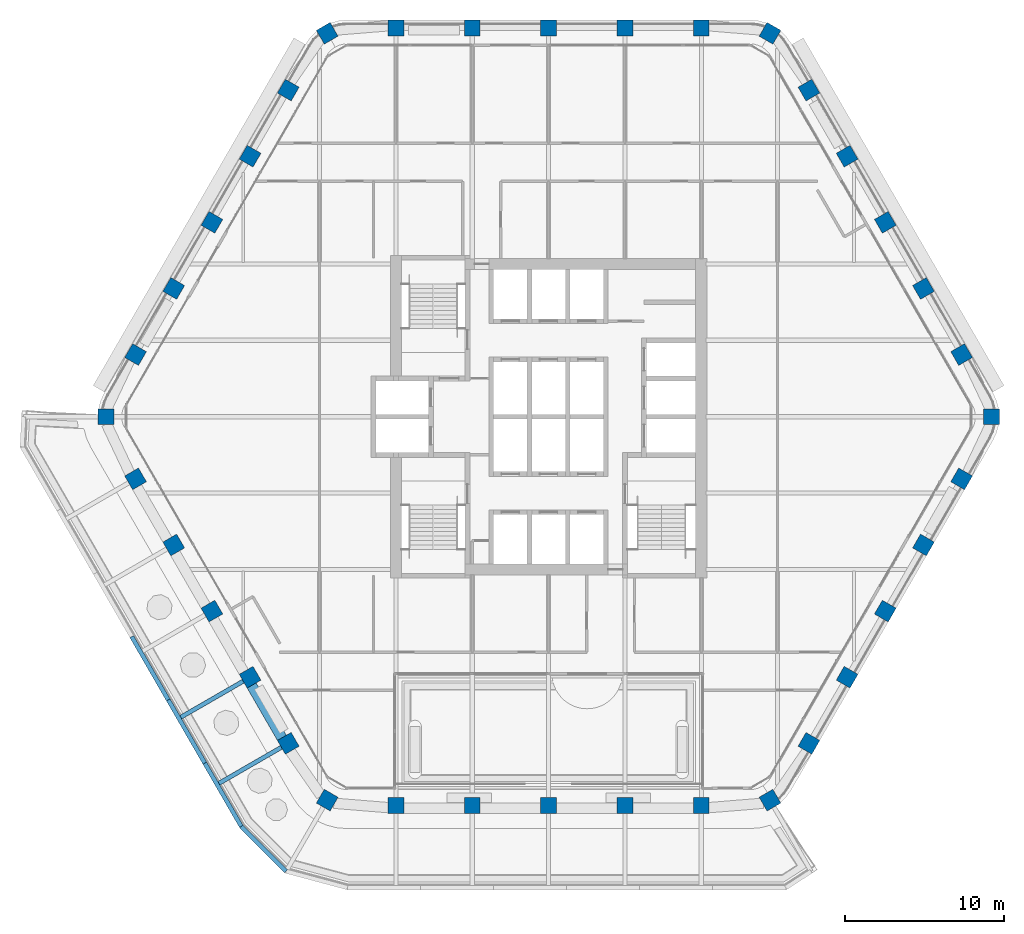
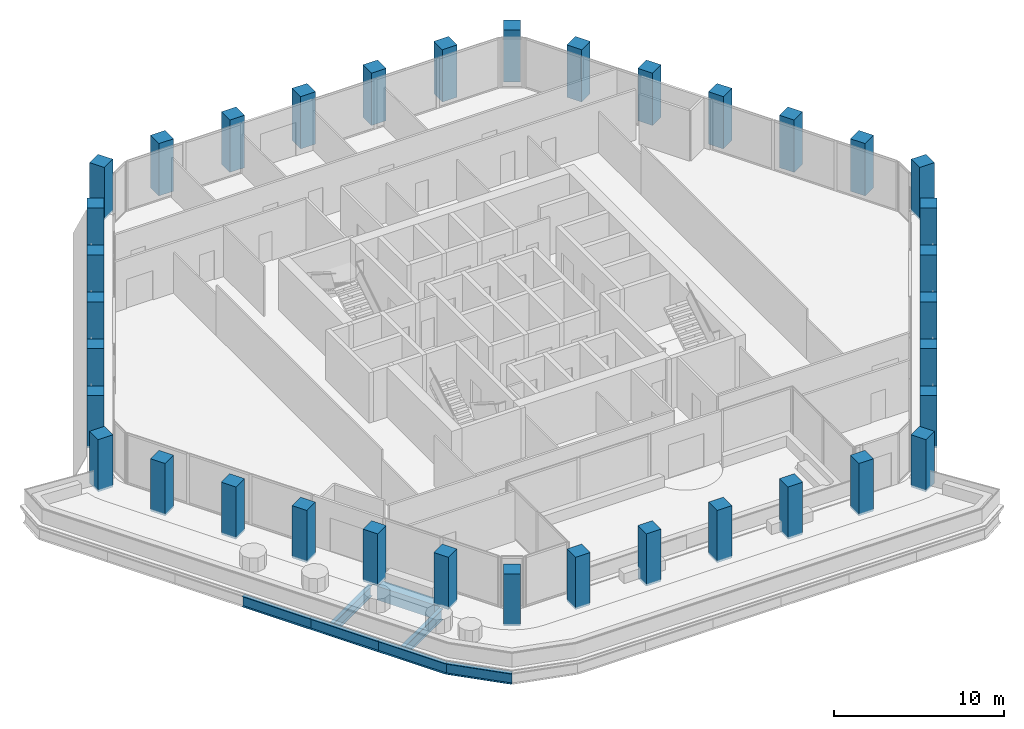
# One storey, part 1 of 18: 36 columns, 7 beams.
"""IFC4 building model written with IfcOpenShell, lengths in metres."""

from ifc_helpers import new_model, si_unit, direction, frame, origin, origin_2d, place, context, subcontext, project, spatial, rectangle, i_section, extrude, material, material_profile, profile_set, type_object, element, save


model = new_model("IFC4")

# Units and contexts
model_context = context("Model", 3, precision=1e-05, world=origin(), true_north=direction((0.0, 1.0)))
body_context = subcontext(model_context, "Body", "Model", "MODEL_VIEW")
ifc_project = project(units=[si_unit("LENGTHUNIT", "METRE"), si_unit("AREAUNIT", "SQUARE_METRE"), si_unit("VOLUMEUNIT", "CUBIC_METRE"), si_unit("PLANEANGLEUNIT", "RADIAN"), si_unit("MASSUNIT", "GRAM", prefix="KILO")], contexts=[model_context])

# Site, building, storey
site_placement = place(None, origin())
site = spatial("IfcSite", under=ifc_project, at=site_placement, CompositionType="ELEMENT")
building_placement = place(site_placement, origin())
building = spatial("IfcBuilding", under=site, at=building_placement, Name="Kolab Exchange Tower", CompositionType="ELEMENT")
storey_placement = place(building_placement, frame((0.0, 0.0, 212.89990234375)))
storey = spatial("IfcBuildingStorey", under=building, at=storey_placement, Name="L46", CompositionType="ELEMENT", Elevation=212.89990234375)

# Columns
ifc_material_1 = material(Name="Concrete C60/75", Category="concrete")
ifc_material_profile_1 = material_profile(ifc_material_1, rectangle(XDim=1.0, YDim=1.0, at=origin_2d()), Name="RC1000")
ifc_profile_set_1 = profile_set([ifc_material_profile_1], Name="Concrete C60/75")
column_type = type_object("IfcColumnType", Name="PERIMETER COLUMN 1000 SQ C60/75", PredefinedType="COLUMN", material=ifc_profile_set_1)
for number, where, z_axis, x_axis, name in (
    (1, (-13.91796875, 24.106689453125, -0.14990234375), (0.0, 0.0, 1.0), (0.866025403784, 0.5, 0.0), "col/L46/F1-01"),
    (2, (-9.60009765625, 24.441650390625, -0.14990234375), (0.0, 0.0, 1.0), (1.0, 0.0, 0.0), "col/L46/F1-02"),
    (3, (-4.800048828125, 24.441650390625, -0.14990234375), (0.0, 0.0, 1.0), (1.0, 0.0, 0.0), "col/L46/F1-03"),
    (4, (0.0, 24.441650390625, -0.14990234375), (0.0, 0.0, 1.0), (1.0, 0.0, 0.0), "col/L46/F1-04"),
    (5, (4.800048828125, 24.441650390625, -0.14990234375), (0.0, 0.0, 1.0), (1.0, 0.0, 0.0), "col/L46/F1-05"),
    (6, (9.60009765625, 24.441650390625, -0.14990234375), (0.0, 0.0, 1.0), (1.0, 0.0, 0.0), "col/L46/F1-06"),
    (7, (13.91796875, 24.106689453125, -0.14990234375), (0.0, 0.0, 1.0), (0.5, 0.866025403784, 0.0), "col/L46/F2-01"),
    (8, (16.366943359375, 20.53466796875, -0.14990234375), (0.0, 0.0, 1.0), (0.866025403784, 0.5, 0.0), "col/L46/F2-02"),
    (9, (18.76708984375, 16.377685546875, -0.14990234375), (0.0, 0.0, 1.0), (0.866025403784, 0.5, 0.0), "col/L46/F2-03"),
    (10, (21.1669921875, 12.220703125, -0.14990234375), (0.0, 0.0, 1.0), (0.866025403784, 0.5, 0.0), "col/L46/F2-04"),
    (11, (23.56689453125, 8.06396484375, -0.14990234375), (0.0, 0.0, 1.0), (0.866025403784, 0.5, 0.0), "col/L46/F2-05"),
    (12, (25.967041015625, 3.906982421875, -0.14990234375), (0.0, 0.0, 1.0), (0.866025403784, 0.5, 0.0), "col/L46/F2-06"),
    (13, (27.8359375, 0.0, -0.14990234375), (0.0, 0.0, 1.0), (1.0, 0.0, 0.0), "col/L46/F3-01"),
    (14, (25.967041015625, -3.906982421875, -0.14990234375), (0.0, 0.0, 1.0), (0.5, 0.866025403784, 0.0), "col/L46/F3-02"),
    (15, (23.56689453125, -8.06396484375, -0.14990234375), (0.0, 0.0, 1.0), (0.5, 0.866025403784, 0.0), "col/L46/F3-03"),
    (16, (21.1669921875, -12.220703125, -0.14990234375), (0.0, 0.0, 1.0), (0.5, 0.866025403784, 0.0), "col/L46/F3-04"),
    (17, (18.76708984375, -16.377685546875, -0.14990234375), (0.0, 0.0, 1.0), (0.5, 0.866025403784, 0.0), "col/L46/F3-05"),
    (18, (16.366943359375, -20.53466796875, -0.14990234375), (0.0, 0.0, 1.0), (0.5, 0.866025403784, 0.0), "col/L46/F3-06"),
    (19, (13.91796875, -24.106689453125, -0.14990234375), (0.0, 0.0, 1.0), (0.866025403784, 0.5, 0.0), "col/L46/F4-01"),
    (20, (9.60009765625, -24.441650390625, -0.14990234375), (0.0, 0.0, 1.0), (1.0, 0.0, 0.0), "col/L46/F4-02"),
    (21, (4.800048828125, -24.441650390625, -0.14990234375), (0.0, 0.0, 1.0), (1.0, 0.0, 0.0), "col/L46/F4-03"),
    (22, (0.0, -24.441650390625, -0.14990234375), (0.0, 0.0, 1.0), (1.0, 0.0, 0.0), "col/L46/F4-04"),
    (23, (-4.800048828125, -24.441650390625, -0.14990234375), (0.0, 0.0, 1.0), (1.0, 0.0, 0.0), "col/L46/F4-05"),
    (24, (-9.60009765625, -24.441650390625, -0.14990234375), (0.0, 0.0, 1.0), (1.0, 0.0, 0.0), "col/L46/F4-06"),
    (25, (-13.91796875, -24.106689453125, -0.14990234375), (0.0, 0.0, 1.0), (0.5, 0.866025403784, 0.0), "col/L46/F5-01"),
    (26, (-16.366943359375, -20.53466796875, -0.14990234375), (0.0, 0.0, 1.0), (0.866025403784, 0.5, 0.0), "col/L46/F5-02"),
    (27, (-18.76708984375, -16.377685546875, -0.14990234375), (0.0, 0.0, 1.0), (0.866025403784, 0.5, 0.0), "col/L46/F5-03"),
    (28, (-21.1669921875, -12.220703125, -0.14990234375), (0.0, 0.0, 1.0), (0.866025403784, 0.5, 0.0), "col/L46/F5-04"),
    (29, (-23.56689453125, -8.06396484375, -0.14990234375), (0.0, 0.0, 1.0), (0.866025403784, 0.5, 0.0), "col/L46/F5-05"),
    (30, (-25.967041015625, -3.906982421875, -0.14990234375), (0.0, 0.0, 1.0), (0.866025403784, 0.5, 0.0), "col/L46/F5-06"),
    (31, (-27.8359375, 0.0, -0.14990234375), (0.0, 0.0, 1.0), (1.0, 0.0, 0.0), "col/L46/F6-01"),
    (32, (-25.967041015625, 3.906982421875, -0.14990234375), (0.0, 0.0, 1.0), (0.5, 0.866025403784, 0.0), "col/L46/F6-02"),
    (33, (-23.56689453125, 8.06396484375, -0.14990234375), (0.0, 0.0, 1.0), (0.5, 0.866025403784, 0.0), "col/L46/F6-03"),
    (34, (-21.1669921875, 12.220703125, -0.14990234375), (0.0, 0.0, 1.0), (0.5, 0.866025403784, 0.0), "col/L46/F6-04"),
    (35, (-18.76708984375, 16.377685546875, -0.14990234375), (0.0, 0.0, 1.0), (0.5, 0.866025403784, 0.0), "col/L46/F6-05"),
    (36, (-16.366943359375, 20.53466796875, -0.14990234375), (0.0, 0.0, 1.0), (0.5, 0.866025403784, 0.0), "col/L46/F6-06"),
):
    element("IfcColumn", number, at=place(storey_placement, frame(where, z_axis=z_axis, x_axis=x_axis)), inside=storey, type_object=column_type, Name=name, PredefinedType="COLUMN", context=body_context, shape_type="SweptSolid", body=[
        extrude(rectangle(XDim=1.0, YDim=1.0, at=origin_2d()), origin(), (0.0, 0.0, 1.0), 3.75),
    ])

# Beams
ifc_material_2 = material(Name="Steel S355", Category="steel")
ifc_material_profile_2 = material_profile(ifc_material_2, i_section(OverallWidth=0.26708984375, OverallDepth=0.761962890625, WebThickness=0.014404296875, FlangeThickness=0.021484375, at=origin_2d()), Name="W760X173")
ifc_profile_set_2 = profile_set([ifc_material_profile_2], Name="Steel S355")
beam_type_1 = type_object("IfcBeamType", Name="FLOOR GIRDER W760X173", PredefinedType="BEAM", material=ifc_profile_set_2)
beam_1_placement = place(storey_placement, frame((-16.800048828125, -20.78466796875, -0.5908203125), z_axis=(-0.866030417568, -0.499991315771, 0.0), x_axis=(0.499991315771, -0.866030417568, 0.0)))
element("IfcBeam", 37, at=beam_1_placement, inside=storey, type_object=beam_type_1, Name="beam/L46/ledge/rib-07", PredefinedType="BEAM", context=body_context, shape_type="SweptSolid", body=[
    extrude(i_section(OverallWidth=0.26708984375, OverallDepth=0.761962890625, WebThickness=0.014404296875, FlangeThickness=0.021484375, at=origin_2d()), origin(), (0.0, 0.0, 1.0), 4.53271484375),
])
beam_2_placement = place(storey_placement, frame((-19.199951171875, -16.627685546875, -0.5908203125), z_axis=(-0.866020560687, -0.500008388397, 0.0), x_axis=(0.500008388397, -0.866020560687, 0.0)))
element("IfcBeam", 38, at=beam_2_placement, inside=storey, type_object=beam_type_1, Name="beam/L46/ledge/rib-08", PredefinedType="BEAM", context=body_context, shape_type="SweptSolid", body=[
    extrude(i_section(OverallWidth=0.26708984375, OverallDepth=0.761962890625, WebThickness=0.014404296875, FlangeThickness=0.021484375, at=origin_2d()), origin(), (0.0, 0.0, 1.0), 4.533203125),
])
beam_3_placement = place(storey_placement, frame((-16.498779296875, -28.576904296875, -0.5908203125), z_axis=(-0.707106781187, 0.707106781187, 0.0), x_axis=(-0.707106781187, -0.707106781187, 0.0)))
element("IfcBeam", 39, at=beam_3_placement, inside=storey, type_object=beam_type_1, Name="beam/L46/ledge/edge-08", PredefinedType="BEAM", context=body_context, shape_type="SweptSolid", body=[
    extrude(i_section(OverallWidth=0.26708984375, OverallDepth=0.761962890625, WebThickness=0.014404296875, FlangeThickness=0.021484375, at=origin_2d()), origin(), (0.0, 0.0, 1.0), 3.984375),
])
beam_4_placement = place(storey_placement, frame((-19.316162109375, -25.759521484375, -0.5908203125), z_axis=(-0.499963222339, 0.866046636336, 0.0), x_axis=(-0.866046636336, -0.499963222339, 0.0)))
element("IfcBeam", 40, at=beam_4_placement, inside=storey, type_object=beam_type_1, Name="beam/L46/ledge/edge-09", PredefinedType="BEAM", context=body_context, shape_type="SweptSolid", body=[
    extrude(i_section(OverallWidth=0.26708984375, OverallDepth=0.761962890625, WebThickness=0.014404296875, FlangeThickness=0.021484375, at=origin_2d()), origin(), (0.0, 0.0, 1.0), 4.593505859375),
])
beam_5_placement = place(storey_placement, frame((-21.61279296875, -21.78125, -0.5908203125), z_axis=(-0.50004294189, 0.866000609853, 0.0), x_axis=(-0.866000609853, -0.50004294189, 0.0)))
element("IfcBeam", 41, at=beam_5_placement, inside=storey, type_object=beam_type_1, Name="beam/L46/ledge/edge-10", PredefinedType="BEAM", context=body_context, shape_type="SweptSolid", body=[
    extrude(i_section(OverallWidth=0.26708984375, OverallDepth=0.761962890625, WebThickness=0.014404296875, FlangeThickness=0.021484375, at=origin_2d()), origin(), (0.0, 0.0, 1.0), 4.59375),
])
beam_6_placement = place(storey_placement, frame((-23.909912109375, -17.802978515625, -0.5908203125), z_axis=(-0.499963222339, 0.866046636336, 0.0), x_axis=(-0.866046636336, -0.499963222339, 0.0)))
element("IfcBeam", 42, at=beam_6_placement, inside=storey, type_object=beam_type_1, Name="beam/L46/ledge/edge-11", PredefinedType="BEAM", context=body_context, shape_type="SweptSolid", body=[
    extrude(i_section(OverallWidth=0.26708984375, OverallDepth=0.761962890625, WebThickness=0.014404296875, FlangeThickness=0.021484375, at=origin_2d()), origin(), (0.0, 0.0, 1.0), 4.593505859375),
])
ifc_material_profile_3 = material_profile(ifc_material_1, rectangle(XDim=0.64990234375, YDim=1.0, at=origin_2d()), Name="RC650X1000")
ifc_profile_set_3 = profile_set([ifc_material_profile_3], Name="Concrete C60/75")
beam_type_2 = type_object("IfcBeamType", Name="SPANDREL BEAM 650X1000 C60/75", PredefinedType="BEAM", material=ifc_profile_set_3)
beam_7_placement = place(storey_placement, frame((-16.74853515625, -20.2236328125, -0.64990234375), z_axis=(-0.499996613652, 0.866027358884, 0.0), x_axis=(-0.866027358884, -0.499996613652, 0.0)))
element("IfcBeam", 43, at=beam_7_placement, inside=storey, type_object=beam_type_2, Name="beam/L46/sp/F5-02", PredefinedType="BEAM", context=body_context, shape_type="SweptSolid", body=[
    extrude(rectangle(XDim=0.64990234375, YDim=1.0, at=origin_2d()), origin(), (0.0, 0.0, 1.0), 3.8798828125),
])

save(model, "model.ifc")
